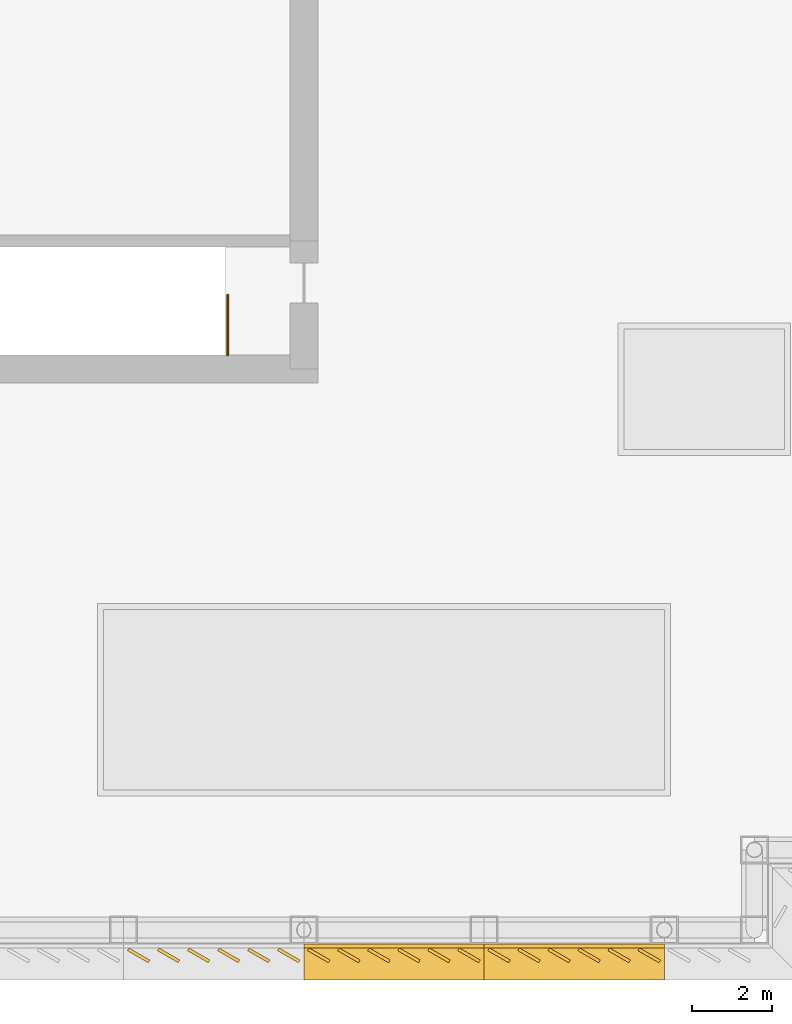
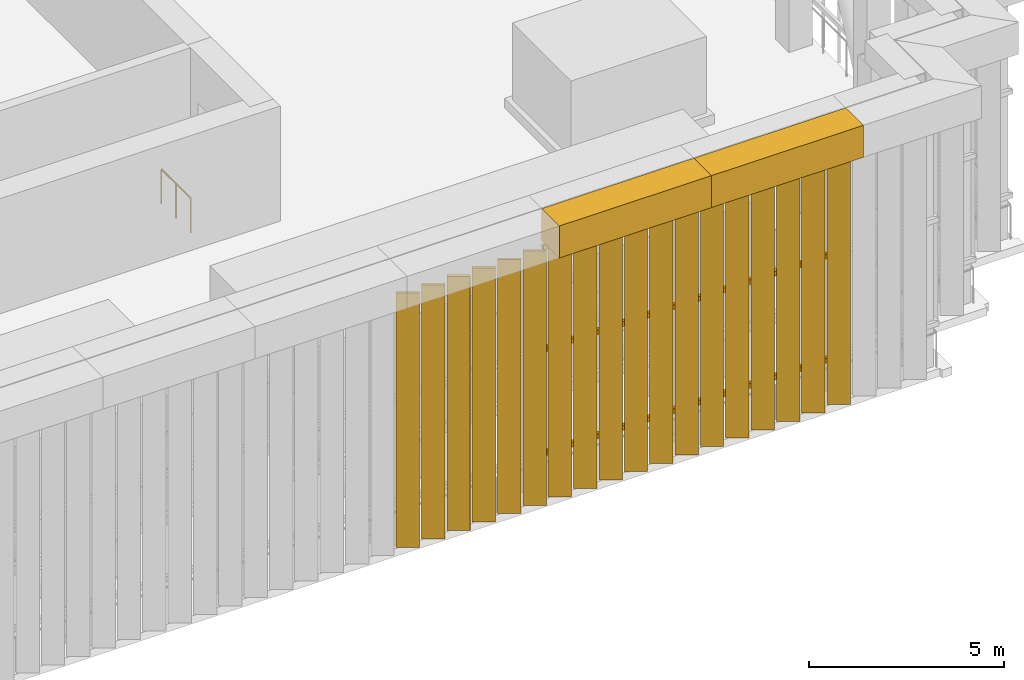
# One storey, part 5 of 11: 7 coverings, 1 railing.
"""IFC4 building model written with IfcOpenShell, lengths in metres."""

from ifc_helpers import new_model, si_unit, direction, frame, origin, origin_2d, place, context, subcontext, project, spatial, polyline, circle, outline, extrude, material, layer, layer_set, type_object, element, save


model = new_model("IFC4")

# Units and contexts
model_context = context("Model", 3, precision=1e-05, world=origin(), true_north=direction((0.0, 1.0)))
body_context = subcontext(model_context, "Body", "Model", "MODEL_VIEW")
ifc_project = project(units=[si_unit("LENGTHUNIT", "METRE"), si_unit("AREAUNIT", "SQUARE_METRE"), si_unit("VOLUMEUNIT", "CUBIC_METRE"), si_unit("PLANEANGLEUNIT", "RADIAN"), si_unit("MASSUNIT", "GRAM", prefix="KILO")], contexts=[model_context])

# Site, building, storey
site_placement = place(None, origin())
site = spatial("IfcSite", under=ifc_project, at=site_placement, CompositionType="ELEMENT")
building_placement = place(site_placement, origin())
building = spatial("IfcBuilding", under=site, at=building_placement, Name="Rheinbord Bourse Tower", CompositionType="ELEMENT")
storey_placement = place(building_placement, frame((0.0, 0.0, 334.10009765625)))
storey = spatial("IfcBuildingStorey", under=building, at=storey_placement, Name="RF", CompositionType="ELEMENT", Elevation=334.10009765625)

# Coverings
ifc_material_1 = material(Name="Black aluminium coping on a steel frame", Category="steel")
ifc_layer_1 = layer(ifc_material_1, 1.0)
ifc_layer_set_1 = layer_set([ifc_layer_1], Name="CROWN CAP 900x1000")
covering_type_1 = type_object("IfcCoveringType", Name="CROWN CAP 900x1000", PredefinedType="USERDEFINED", material=ifc_layer_set_1)
covering_1_placement = place(storey_placement, frame((0.0, 0.0, 8.0)))
element("IfcCovering", 1, at=covering_1_placement, inside=storey, type_object=covering_type_1, Name="Crown cap S-54-S-58.5", ObjectType="COPING", PredefinedType="USERDEFINED", context=body_context, shape_type="SweptSolid", body=[
    extrude(outline(polyline([(54.0, 1.64990234375), (58.5, 1.64990234375), (58.5, 0.75), (54.0, 0.75), (54.0, 1.64990234375)])), origin(), (0.0, 0.0, 1.0), 1.0),
])
covering_2_placement = place(storey_placement, frame((0.0, 0.0, 8.0)))
element("IfcCovering", 2, at=covering_2_placement, inside=storey, type_object=covering_type_1, Name="Crown cap S-58.5-S-63", ObjectType="COPING", PredefinedType="USERDEFINED", context=body_context, shape_type="SweptSolid", body=[
    extrude(outline(polyline([(58.5, 1.64990234375), (63.0, 1.64990234375), (63.0, 0.75), (58.5, 0.75), (58.5, 1.64990234375)])), origin(), (0.0, 0.0, 1.0), 1.0),
])
ifc_material_2 = material(Name="Black anodised aluminium", Category="aluminium")
ifc_layer_2 = layer(ifc_material_2, 0.080078125)
ifc_layer_set_2 = layer_set([ifc_layer_2], Name="CROWN SCREEN BLADE 600x80")
covering_type_2 = type_object("IfcCoveringType", Name="CROWN SCREEN BLADE 600x80", PredefinedType="USERDEFINED", material=ifc_layer_set_2)
covering_3_placement = place(storey_placement, frame((0.0, 0.0, 0.0498046875)))
element("IfcCovering", 3, at=covering_3_placement, inside=storey, type_object=covering_type_2, Name="Crown screen blades S-49.5-S-54", ObjectType="LOUVRE", PredefinedType="USERDEFINED", context=body_context, shape_type="SweptSolid", body=[
    extrude(outline(polyline([(49.635009765625, 1.550048828125), (50.155029296875, 1.25), (50.114990234375, 1.180908203125), (49.594970703125, 1.48095703125), (49.635009765625, 1.550048828125)])), origin(), (0.0, 0.0, 1.0), 7.9501953125),
    extrude(outline(polyline([(50.385009765625, 1.550048828125), (50.905029296875, 1.25), (50.864990234375, 1.180908203125), (50.344970703125, 1.48095703125), (50.385009765625, 1.550048828125)])), origin(), (0.0, 0.0, 1.0), 7.9501953125),
    extrude(outline(polyline([(51.135009765625, 1.550048828125), (51.655029296875, 1.25), (51.614990234375, 1.180908203125), (51.094970703125, 1.48095703125), (51.135009765625, 1.550048828125)])), origin(), (0.0, 0.0, 1.0), 7.9501953125),
    extrude(outline(polyline([(51.885009765625, 1.550048828125), (52.405029296875, 1.25), (52.364990234375, 1.180908203125), (51.844970703125, 1.48095703125), (51.885009765625, 1.550048828125)])), origin(), (0.0, 0.0, 1.0), 7.9501953125),
    extrude(outline(polyline([(52.635009765625, 1.550048828125), (53.155029296875, 1.25), (53.114990234375, 1.180908203125), (52.594970703125, 1.48095703125), (52.635009765625, 1.550048828125)])), origin(), (0.0, 0.0, 1.0), 7.9501953125),
    extrude(outline(polyline([(53.385009765625, 1.550048828125), (53.905029296875, 1.25), (53.864990234375, 1.180908203125), (53.344970703125, 1.48095703125), (53.385009765625, 1.550048828125)])), origin(), (0.0, 0.0, 1.0), 7.9501953125),
])
covering_4_placement = place(storey_placement, frame((0.0, 0.0, 0.0498046875)))
element("IfcCovering", 4, at=covering_4_placement, inside=storey, type_object=covering_type_2, Name="Crown screen blades S-54-S-58.5", ObjectType="LOUVRE", PredefinedType="USERDEFINED", context=body_context, shape_type="SweptSolid", body=[
    extrude(outline(polyline([(54.135009765625, 1.550048828125), (54.655029296875, 1.25), (54.614990234375, 1.180908203125), (54.094970703125, 1.48095703125), (54.135009765625, 1.550048828125)])), origin(), (0.0, 0.0, 1.0), 7.9501953125),
    extrude(outline(polyline([(54.885009765625, 1.550048828125), (55.405029296875, 1.25), (55.364990234375, 1.180908203125), (54.844970703125, 1.48095703125), (54.885009765625, 1.550048828125)])), origin(), (0.0, 0.0, 1.0), 7.9501953125),
    extrude(outline(polyline([(55.635009765625, 1.550048828125), (56.155029296875, 1.25), (56.114990234375, 1.180908203125), (55.594970703125, 1.48095703125), (55.635009765625, 1.550048828125)])), origin(), (0.0, 0.0, 1.0), 7.9501953125),
    extrude(outline(polyline([(56.385009765625, 1.550048828125), (56.905029296875, 1.25), (56.864990234375, 1.180908203125), (56.344970703125, 1.48095703125), (56.385009765625, 1.550048828125)])), origin(), (0.0, 0.0, 1.0), 7.9501953125),
    extrude(outline(polyline([(57.135009765625, 1.550048828125), (57.655029296875, 1.25), (57.614990234375, 1.180908203125), (57.094970703125, 1.48095703125), (57.135009765625, 1.550048828125)])), origin(), (0.0, 0.0, 1.0), 7.9501953125),
    extrude(outline(polyline([(57.885009765625, 1.550048828125), (58.405029296875, 1.25), (58.364990234375, 1.180908203125), (57.844970703125, 1.48095703125), (57.885009765625, 1.550048828125)])), origin(), (0.0, 0.0, 1.0), 7.9501953125),
])
covering_5_placement = place(storey_placement, frame((0.0, 0.0, 0.0498046875)))
element("IfcCovering", 5, at=covering_5_placement, inside=storey, type_object=covering_type_2, Name="Crown screen blades S-58.5-S-63", ObjectType="LOUVRE", PredefinedType="USERDEFINED", context=body_context, shape_type="SweptSolid", body=[
    extrude(outline(polyline([(58.635009765625, 1.550048828125), (59.155029296875, 1.25), (59.114990234375, 1.180908203125), (58.594970703125, 1.48095703125), (58.635009765625, 1.550048828125)])), origin(), (0.0, 0.0, 1.0), 7.9501953125),
    extrude(outline(polyline([(59.385009765625, 1.550048828125), (59.905029296875, 1.25), (59.864990234375, 1.180908203125), (59.344970703125, 1.48095703125), (59.385009765625, 1.550048828125)])), origin(), (0.0, 0.0, 1.0), 7.9501953125),
    extrude(outline(polyline([(60.135009765625, 1.550048828125), (60.655029296875, 1.25), (60.614990234375, 1.180908203125), (60.094970703125, 1.48095703125), (60.135009765625, 1.550048828125)])), origin(), (0.0, 0.0, 1.0), 7.9501953125),
    extrude(outline(polyline([(60.885009765625, 1.550048828125), (61.405029296875, 1.25), (61.364990234375, 1.180908203125), (60.844970703125, 1.48095703125), (60.885009765625, 1.550048828125)])), origin(), (0.0, 0.0, 1.0), 7.9501953125),
    extrude(outline(polyline([(61.635009765625, 1.550048828125), (62.155029296875, 1.25), (62.114990234375, 1.180908203125), (61.594970703125, 1.48095703125), (61.635009765625, 1.550048828125)])), origin(), (0.0, 0.0, 1.0), 7.9501953125),
    extrude(outline(polyline([(62.385009765625, 1.550048828125), (62.905029296875, 1.25), (62.864990234375, 1.180908203125), (62.344970703125, 1.48095703125), (62.385009765625, 1.550048828125)])), origin(), (0.0, 0.0, 1.0), 7.9501953125),
])
ifc_material_3 = material(Name="Black powder-coated steel", Category="steel")
ifc_layer_3 = layer(ifc_material_3, 0.10009765625)
ifc_layer_set_3 = layer_set([ifc_layer_3], Name="CROWN SCREEN RAIL 150x100")
covering_type_3 = type_object("IfcCoveringType", Name="CROWN SCREEN RAIL 150x100", PredefinedType="USERDEFINED", material=ifc_layer_set_3)
covering_6_placement = place(storey_placement, frame((0.0, 0.0, 1.2998046875)))
element("IfcCovering", 6, at=covering_6_placement, inside=storey, type_object=covering_type_3, Name="Crown screen rails S-54-S-58.5", ObjectType="LOUVRE RAIL", PredefinedType="USERDEFINED", context=body_context, shape_type="SweptSolid", body=[
    extrude(outline(polyline([(54.0, 1.64990234375), (58.5, 1.64990234375), (58.5, 1.550048828125), (54.0, 1.550048828125), (54.0, 1.64990234375)])), origin(), (0.0, 0.0, 1.0), 0.150146484375),
    extrude(outline(polyline([(54.0, 1.64990234375), (58.5, 1.64990234375), (58.5, 1.550048828125), (54.0, 1.550048828125), (54.0, 1.64990234375)])), frame((0.0, 0.0, 3.25)), (0.0, 0.0, 1.0), 0.150146484375),
    extrude(outline(polyline([(54.0, 1.64990234375), (58.5, 1.64990234375), (58.5, 1.550048828125), (54.0, 1.550048828125), (54.0, 1.64990234375)])), frame((0.0, 0.0, 6.4501953125)), (0.0, 0.0, 1.0), 0.14990234375),
])
covering_7_placement = place(storey_placement, frame((0.0, 0.0, 1.2998046875)))
element("IfcCovering", 7, at=covering_7_placement, inside=storey, type_object=covering_type_3, Name="Crown screen rails S-58.5-S-63", ObjectType="LOUVRE RAIL", PredefinedType="USERDEFINED", context=body_context, shape_type="SweptSolid", body=[
    extrude(outline(polyline([(58.5, 1.64990234375), (63.0, 1.64990234375), (63.0, 1.550048828125), (58.5, 1.550048828125), (58.5, 1.64990234375)])), origin(), (0.0, 0.0, 1.0), 0.150146484375),
    extrude(outline(polyline([(58.5, 1.64990234375), (63.0, 1.64990234375), (63.0, 1.550048828125), (58.5, 1.550048828125), (58.5, 1.64990234375)])), frame((0.0, 0.0, 3.25)), (0.0, 0.0, 1.0), 0.150146484375),
    extrude(outline(polyline([(58.5, 1.64990234375), (63.0, 1.64990234375), (63.0, 1.550048828125), (58.5, 1.550048828125), (58.5, 1.64990234375)])), frame((0.0, 0.0, 6.4501953125)), (0.0, 0.0, 1.0), 0.14990234375),
])

# Railing
ifc_material_4 = material(Name="Steel and glass guard", Category="steel")
railing_type = type_object("IfcRailingType", Name="GUARD 1100", PredefinedType="GUARDRAIL", material=ifc_material_4)
railing_placement = place(storey_placement, frame((52.10009765625, 16.35009765625, 0.0)))
element("IfcRailing", 8, at=railing_placement, inside=storey, type_object=railing_type, Name="Stair well guard ST3 RF", PredefinedType="GUARDRAIL", context=body_context, shape_type="SweptSolid", body=[
    extrude(circle(Radius=0.02392578125, at=origin_2d()), frame((0.0, 0.0, 1.076171875), z_axis=(0.0, 1.0, 0.0), x_axis=(-1.0, 0.0, 0.0)), (0.0, 0.0, 1.0), 1.5),
    extrude(circle(Radius=0.02099609375, at=origin_2d()), origin(), (0.0, 0.0, 1.0), 1.052001953125),
    extrude(circle(Radius=0.02099609375, at=origin_2d()), frame((0.0, 0.75, 0.0)), (0.0, 0.0, 1.0), 1.052001953125),
    extrude(circle(Radius=0.02099609375, at=origin_2d()), frame((0.0, 1.5, 0.0)), (0.0, 0.0, 1.0), 1.052001953125),
])

save(model, "model.ifc")
